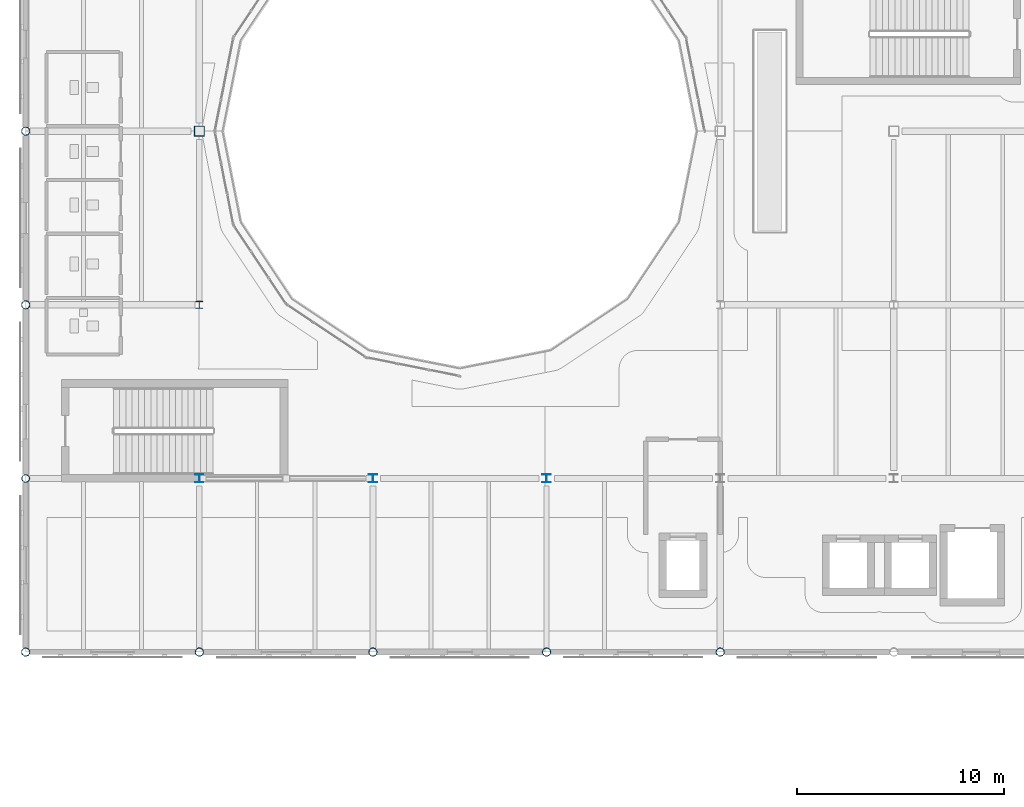
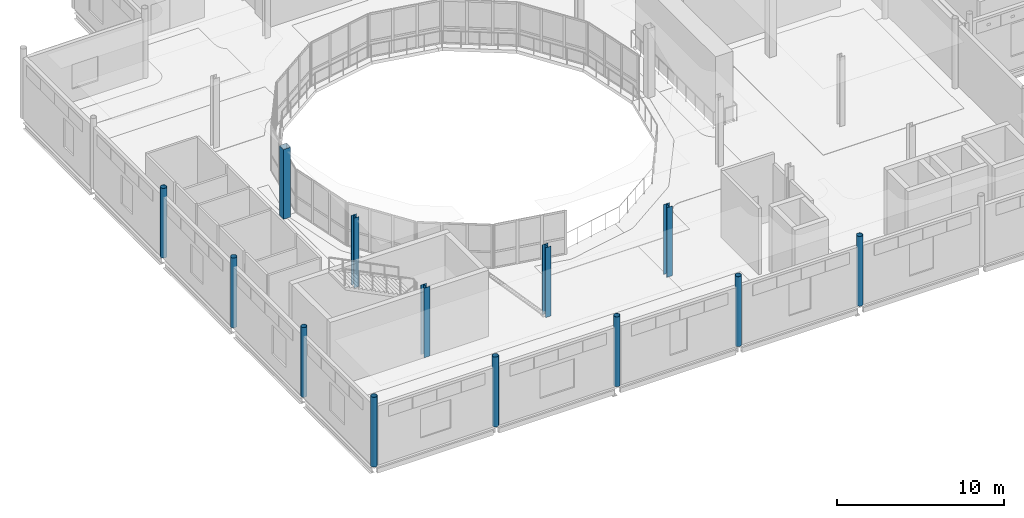
# One storey, part 1 of 104: 13 columns.
"""IFC4 building model written with IfcOpenShell, lengths in metres."""

from ifc_helpers import new_model, si_unit, direction, frame, origin, origin_2d, place, context, subcontext, project, spatial, hollow_rectangle, hollow_circle, i_section, extrude, material, material_profile, profile_set, type_object, element, save


model = new_model("IFC4")

# Units and contexts
model_context = context("Model", 3, precision=1e-05, world=origin(), true_north=direction((0.0, 1.0)))
body_context = subcontext(model_context, "Body", "Model", "MODEL_VIEW")
ifc_project = project(units=[si_unit("LENGTHUNIT", "METRE"), si_unit("AREAUNIT", "SQUARE_METRE"), si_unit("VOLUMEUNIT", "CUBIC_METRE"), si_unit("PLANEANGLEUNIT", "RADIAN"), si_unit("MASSUNIT", "GRAM", prefix="KILO"), si_unit("THERMODYNAMICTEMPERATUREUNIT", "KELVIN")], contexts=[model_context])

# Site, building, storey
site_placement = place(None, origin())
site = spatial("IfcSite", under=ifc_project, at=site_placement, CompositionType="ELEMENT")
building_placement = place(site_placement, origin())
building = spatial("IfcBuilding", under=site, at=building_placement, Name="Lustrewick Department Store", CompositionType="ELEMENT")
storey_placement = place(building_placement, frame((0.0, 0.0, 11.39990234375)))
storey = spatial("IfcBuildingStorey", under=building, at=storey_placement, Name="L03", CompositionType="ELEMENT", Elevation=11.39990234375)

# Columns
ifc_material_1 = material(Name="Structural steel Q355B", Category="steel")
ifc_material_profile_1 = material_profile(ifc_material_1, hollow_rectangle(XDim=0.5, YDim=0.5, WallThickness=0.02001953125, at=origin_2d()), Name="BOX 500x500x20")
ifc_profile_set_1 = profile_set([ifc_material_profile_1], Name="Structural steel Q355B")
column_type_1 = type_object("IfcColumnType", Name="C06", PredefinedType="COLUMN", material=ifc_profile_set_1)
column_1_placement = place(storey_placement, frame((16.800048828125, 67.199951171875, 0.0), z_axis=(0.0, 0.0, 1.0), x_axis=(1.0, 0.0, 0.0)))
element("IfcColumn", 1, at=column_1_placement, inside=storey, type_object=column_type_1, Name="L03 V1 Column C06", PredefinedType="COLUMN", context=body_context, shape_type="SweptSolid", body=[
    extrude(hollow_rectangle(XDim=0.5, YDim=0.5, WallThickness=0.02001953125, at=origin_2d()), origin(), (0.0, 0.0, 1.0), 5.10009765625),
])
ifc_material_profile_2 = material_profile(ifc_material_1, i_section(OverallWidth=0.402099609375, OverallDepth=0.387939453125, WebThickness=0.014892578125, FlangeThickness=0.014892578125, FilletRadius=0.02197265625, at=origin_2d()), Name="HW 388x402x15x15")
ifc_profile_set_2 = profile_set([ifc_material_profile_2], Name="Structural steel Q355B")
column_type_2 = type_object("IfcColumnType", Name="C12", PredefinedType="COLUMN", material=ifc_profile_set_2)
for number, where, z_axis, x_axis, name in (
    (2, (16.800048828125, 50.39990234375, 0.0), (0.0, 0.0, 1.0), (1.0, 0.0, 0.0), "L03 V1 Column C12"),
    (3, (25.199951171875, 50.39990234375, 0.0), (0.0, 0.0, 1.0), (1.0, 0.0, 0.0), "L03 V1 Column C12"),
    (4, (33.60009765625, 50.39990234375, 0.0), (0.0, 0.0, 1.0), (1.0, 0.0, 0.0), "L03 V1 Column C12"),
):
    element("IfcColumn", number, at=place(storey_placement, frame(where, z_axis=z_axis, x_axis=x_axis)), inside=storey, type_object=column_type_2, Name=name, PredefinedType="COLUMN", context=body_context, shape_type="SweptSolid", body=[
        extrude(i_section(OverallWidth=0.402099609375, OverallDepth=0.387939453125, WebThickness=0.014892578125, FlangeThickness=0.014892578125, FilletRadius=0.02197265625, at=origin_2d()), origin(), (0.0, 0.0, 1.0), 5.10009765625),
    ])
ifc_material_profile_3 = material_profile(ifc_material_1, i_section(OverallWidth=0.35009765625, OverallDepth=0.35009765625, WebThickness=0.011962890625, FlangeThickness=0.01904296875, FilletRadius=0.02001953125, at=origin_2d()), Name="HW 350x350x12x19")
ifc_profile_set_3 = profile_set([ifc_material_profile_3], Name="Structural steel Q355B")
column_type_3 = type_object("IfcColumnType", Name="C13", PredefinedType="COLUMN", material=ifc_profile_set_3)
column_2_placement = place(storey_placement, frame((16.800048828125, 58.800048828125, 0.0), z_axis=(0.0, 0.0, 1.0), x_axis=(1.0, 0.0, 0.0)))
element("IfcColumn", 5, at=column_2_placement, inside=storey, type_object=column_type_3, Name="L03 V1 Column C13", PredefinedType="COLUMN", context=body_context, shape_type="SweptSolid", body=[
    extrude(i_section(OverallWidth=0.35009765625, OverallDepth=0.35009765625, WebThickness=0.011962890625, FlangeThickness=0.01904296875, FilletRadius=0.02001953125, at=origin_2d()), origin(), (0.0, 0.0, 1.0), 5.10009765625),
])
ifc_material_2 = material(Name="Structural steel Q355C", Category="steel")
ifc_material_profile_4 = material_profile(ifc_material_2, hollow_circle(Radius=0.202880859375, WallThickness=0.01611328125, at=origin_2d()), Name="CHS 406x16")
ifc_profile_set_4 = profile_set([ifc_material_profile_4], Name="Structural steel Q355C")
column_type_4 = type_object("IfcColumnType", Name="CE03", PredefinedType="COLUMN", material=ifc_profile_set_4)
for number, where, z_axis, x_axis, name in (
    (6, (8.39990234375, 42.0, 0.0), (0.0, 0.0, 1.0), (1.0, 0.0, 0.0), "L03 V1 Column CE03"),
    (7, (8.39990234375, 58.800048828125, 0.0), (0.0, 0.0, 1.0), (1.0, 0.0, 0.0), "L03 V1 Column CE03"),
    (8, (8.39990234375, 67.199951171875, 0.0), (0.0, 0.0, 1.0), (1.0, 0.0, 0.0), "L03 V1 Column CE03"),
    (9, (16.800048828125, 42.0, 0.0), (0.0, 0.0, 1.0), (1.0, 0.0, 0.0), "L03 V1 Column CE03"),
    (10, (25.199951171875, 42.0, 0.0), (0.0, 0.0, 1.0), (1.0, 0.0, 0.0), "L03 V1 Column CE03"),
    (11, (33.60009765625, 42.0, 0.0), (0.0, 0.0, 1.0), (1.0, 0.0, 0.0), "L03 V1 Column CE03"),
    (12, (42.0, 42.0, 0.0), (0.0, 0.0, 1.0), (1.0, 0.0, 0.0), "L03 V1 Column CE03"),
):
    element("IfcColumn", number, at=place(storey_placement, frame(where, z_axis=z_axis, x_axis=x_axis)), inside=storey, type_object=column_type_4, Name=name, PredefinedType="COLUMN", context=body_context, shape_type="SweptSolid", body=[
        extrude(hollow_circle(Radius=0.202880859375, WallThickness=0.01611328125, at=origin_2d()), origin(), (0.0, 0.0, 1.0), 5.10009765625),
    ])
ifc_material_profile_5 = material_profile(ifc_material_1, hollow_circle(Radius=0.1884765625, WallThickness=0.013916015625, at=origin_2d()), Name="CHS 377x14")
ifc_profile_set_5 = profile_set([ifc_material_profile_5], Name="Structural steel Q355B")
column_type_5 = type_object("IfcColumnType", Name="CE04", PredefinedType="COLUMN", material=ifc_profile_set_5)
column_3_placement = place(storey_placement, frame((8.39990234375, 50.39990234375, 0.0), z_axis=(0.0, 0.0, 1.0), x_axis=(1.0, 0.0, 0.0)))
element("IfcColumn", 13, at=column_3_placement, inside=storey, type_object=column_type_5, Name="L03 V1 Column CE04", PredefinedType="COLUMN", context=body_context, shape_type="SweptSolid", body=[
    extrude(hollow_circle(Radius=0.1884765625, WallThickness=0.013916015625, at=origin_2d()), origin(), (0.0, 0.0, 1.0), 5.10009765625),
])

save(model, "model.ifc")
